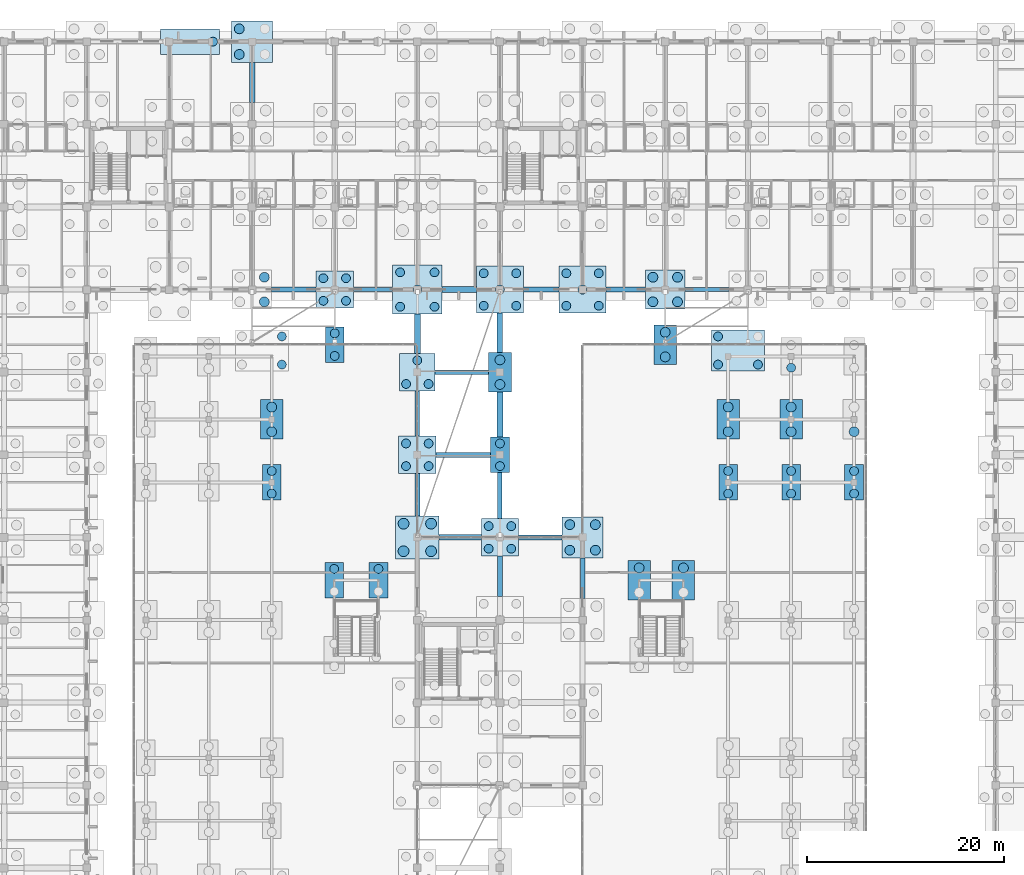
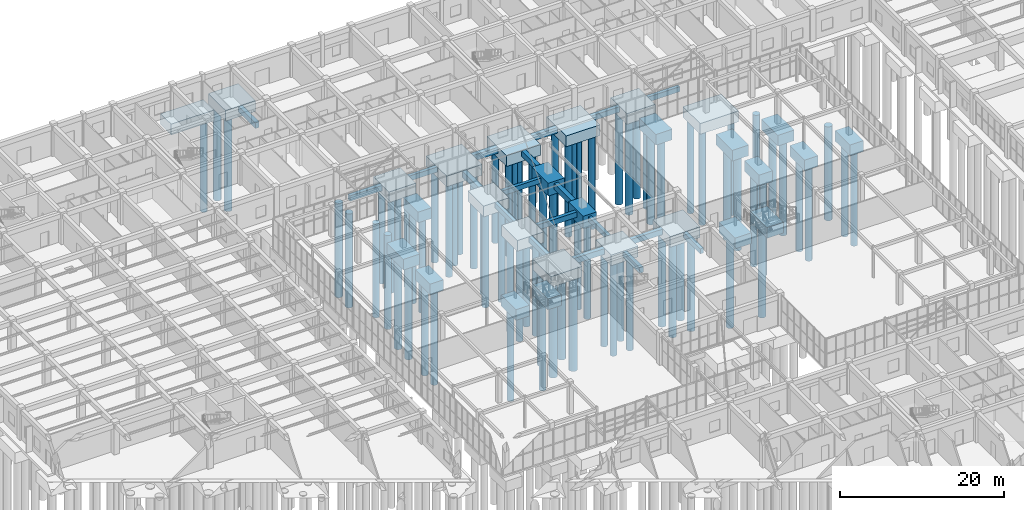
# One storey, part 10 of 192: 80 piles, 47 footings.
"""IFC4 building model written with IfcOpenShell, lengths in metres."""

from ifc_helpers import new_model, si_unit, direction, frame, origin, origin_2d, place, context, subcontext, project, spatial, rectangle, circle, extrude, material, layer, layer_set, material_profile, profile_set, type_object, element, save


model = new_model("IFC4")

# Units and contexts
model_context = context("Model", 3, precision=1e-05, world=origin(), true_north=direction((0.0, 1.0)))
body_context = subcontext(model_context, "Body", "Model", "MODEL_VIEW")
ifc_project = project(units=[si_unit("LENGTHUNIT", "METRE"), si_unit("AREAUNIT", "SQUARE_METRE"), si_unit("VOLUMEUNIT", "CUBIC_METRE"), si_unit("PLANEANGLEUNIT", "RADIAN"), si_unit("MASSUNIT", "GRAM", prefix="KILO")], contexts=[model_context])

# Site, building, storey
site_placement = place(None, origin())
site = spatial("IfcSite", under=ifc_project, at=site_placement, CompositionType="ELEMENT")
building_placement = place(site_placement, origin())
building = spatial("IfcBuilding", under=site, at=building_placement, Name="Trelvath General Hospital", CompositionType="ELEMENT")
storey_placement = place(building_placement, origin())
storey = spatial("IfcBuildingStorey", under=building, at=storey_placement, Name="L00", CompositionType="ELEMENT", Elevation=0.0)

# Piles
ifc_material_1 = material(Name="Concrete C35/45", Category="concrete")
ifc_material_profile_1 = material_profile(ifc_material_1, circle(Radius=0.5, at=origin_2d()), Name="PILE1000")
ifc_profile_set_1 = profile_set([ifc_material_profile_1], Name="Concrete C35/45")
pile_type_1 = type_object("IfcPileType", Name="BoredPile D1000", PredefinedType="BORED", material=ifc_profile_set_1)
for number, where, z_axis, x_axis, name in (
    (1, (60.050048828125, 91.14990234375, -1.800048828125), (0.0, 0.0, -1.0), (1.0, 0.0, 0.0), "Bored Pile P-0453"),
    (2, (60.050048828125, 93.64990234375, -1.800048828125), (0.0, 0.0, -1.0), (1.0, 0.0, 0.0), "Bored Pile P-0455"),
    (3, (57.5, 116.300048828125, -1.800048828125), (0.0, 0.0, -1.0), (1.0, 0.0, 0.0), "Bored Pile P-0464"),
    (4, (57.5, 118.89990234375, -1.800048828125), (0.0, 0.0, -1.0), (1.0, 0.0, 0.0), "Bored Pile P-0466"),
    (5, (60.800048828125, 77.949951171875, -1.800048828125), (0.0, 0.0, -1.0), (1.0, 0.0, 0.0), "Bored Pile P-0476"),
    (6, (60.800048828125, 80.449951171875, -1.800048828125), (0.0, 0.0, -1.0), (1.0, 0.0, 0.0), "Bored Pile P-0477"),
    (7, (84.0, 82.75, -1.800048828125), (0.0, 0.0, -1.0), (1.0, 0.0, 0.0), "Bored Pile P-0625"),
    (8, (84.0, 85.25, -1.800048828125), (0.0, 0.0, -1.0), (1.0, 0.0, 0.0), "Bored Pile P-0626"),
    (9, (91.10009765625, 65.89990234375, -1.800048828125), (0.0, 0.0, -1.0), (1.0, 0.0, 0.0), "Bored Pile P-0677"),
    (10, (93.699951171875, 65.89990234375, -1.800048828125), (0.0, 0.0, -1.0), (1.0, 0.0, 0.0), "Bored Pile P-0678"),
    (11, (91.10009765625, 68.5, -1.800048828125), (0.0, 0.0, -1.0), (1.0, 0.0, 0.0), "Bored Pile P-0679"),
    (12, (93.699951171875, 68.5, -1.800048828125), (0.0, 0.0, -1.0), (1.0, 0.0, 0.0), "Bored Pile P-0680"),
    (13, (98.14990234375, 64.10009765625, -1.800048828125), (0.0, 0.0, -1.0), (1.0, 0.0, 0.0), "Bored Pile P-0704"),
    (14, (100.800048828125, 85.550048828125, -1.800048828125), (0.0, 0.0, -1.0), (1.0, 0.0, 0.0), "Bored Pile P-0724"),
    (15, (100.800048828125, 88.050048828125, -1.800048828125), (0.0, 0.0, -1.0), (1.0, 0.0, 0.0), "Bored Pile P-0725"),
    (16, (99.550048828125, 91.14990234375, -1.800048828125), (0.0, 0.0, -1.0), (1.0, 0.0, 0.0), "Bored Pile P-0726"),
    (17, (102.050048828125, 91.14990234375, -1.800048828125), (0.0, 0.0, -1.0), (1.0, 0.0, 0.0), "Bored Pile P-0727"),
    (18, (99.550048828125, 93.64990234375, -1.800048828125), (0.0, 0.0, -1.0), (1.0, 0.0, 0.0), "Bored Pile P-0728"),
    (19, (102.050048828125, 93.64990234375, -1.800048828125), (0.0, 0.0, -1.0), (1.0, 0.0, 0.0), "Bored Pile P-0729"),
    (20, (102.64990234375, 64.10009765625, -1.800048828125), (0.0, 0.0, -1.0), (1.0, 0.0, 0.0), "Bored Pile P-0743"),
    (21, (107.199951171875, 77.949951171875, -1.800048828125), (0.0, 0.0, -1.0), (1.0, 0.0, 0.0), "Bored Pile P-0756"),
    (22, (107.199951171875, 80.449951171875, -1.800048828125), (0.0, 0.0, -1.0), (1.0, 0.0, 0.0), "Bored Pile P-0757"),
    (23, (113.60009765625, 77.949951171875, -1.800048828125), (0.0, 0.0, -1.0), (1.0, 0.0, 0.0), "Bored Pile P-0804"),
    (24, (113.60009765625, 80.449951171875, -1.800048828125), (0.0, 0.0, -1.0), (1.0, 0.0, 0.0), "Bored Pile P-0805"),
    (25, (120.0, 77.949951171875, -1.800048828125), (0.0, 0.0, -1.0), (1.0, 0.0, 0.0), "Bored Pile P-0846"),
):
    element("IfcPile", number, at=place(storey_placement, frame(where, z_axis=z_axis, x_axis=x_axis)), inside=storey, type_object=pile_type_1, Name=name, PredefinedType="BORED", context=body_context, shape_type="SweptSolid", body=[
        extrude(circle(Radius=0.5, at=origin_2d()), origin(), (0.0, 0.0, 1.0), 14.0),
    ])
ifc_material_2 = material(Name="Concrete C35/45", Category="concrete")
ifc_material_profile_2 = material_profile(ifc_material_2, circle(Radius=0.550048828125, at=origin_2d()), Name="PILE1100")
ifc_profile_set_2 = profile_set([ifc_material_profile_2], Name="Concrete C35/45")
pile_type_2 = type_object("IfcPileType", Name="BoredPile D1100", PredefinedType="BORED", material=ifc_profile_set_2)
for number, where, z_axis, x_axis, name in (
    (26, (74.199951171875, 65.800048828125, -1.800048828125), (0.0, 0.0, -1.0), (1.0, 0.0, 0.0), "Bored Pile P-0550"),
    (27, (77.0, 65.800048828125, -1.800048828125), (0.0, 0.0, -1.0), (1.0, 0.0, 0.0), "Bored Pile P-0551"),
    (28, (74.199951171875, 68.60009765625, -1.800048828125), (0.0, 0.0, -1.0), (1.0, 0.0, 0.0), "Bored Pile P-0552"),
    (29, (77.0, 68.60009765625, -1.800048828125), (0.0, 0.0, -1.0), (1.0, 0.0, 0.0), "Bored Pile P-0553"),
):
    element("IfcPile", number, at=place(storey_placement, frame(where, z_axis=z_axis, x_axis=x_axis)), inside=storey, type_object=pile_type_2, Name=name, PredefinedType="BORED", context=body_context, shape_type="SweptSolid", body=[
        extrude(circle(Radius=0.550048828125, at=origin_2d()), origin(), (0.0, 0.0, 1.0), 14.0),
    ])
ifc_material_3 = material(Name="Concrete C35/45", Category="concrete")
ifc_material_profile_3 = material_profile(ifc_material_3, circle(Radius=0.449951171875, at=origin_2d()), Name="PILE900")
ifc_profile_set_3 = profile_set([ifc_material_profile_3], Name="Concrete C35/45")
pile_type_3 = type_object("IfcPileType", Name="BoredPile D900", PredefinedType="BORED", material=ifc_profile_set_3)
for number, where, z_axis, x_axis, name in (
    (30, (54.830078125, 117.60009765625, -1.800048828125), (0.0, 0.0, -1.0), (1.0, 0.0, 0.0), "Bored Pile P-0413"),
    (31, (61.830078125, 84.77001953125, -1.800048828125), (0.0, 0.0, -1.0), (1.0, 0.0, 0.0), "Bored Pile P-0450"),
    (32, (61.830078125, 87.6298828125, -1.800048828125), (0.0, 0.0, -1.0), (1.0, 0.0, 0.0), "Bored Pile P-0451"),
    (33, (60.800048828125, 71.64990234375, -1.800048828125), (0.0, 0.0, -1.0), (1.0, 0.0, 0.0), "Bored Pile P-0474"),
    (34, (60.800048828125, 73.949951171875, -1.800048828125), (0.0, 0.0, -1.0), (1.0, 0.0, 0.0), "Bored Pile P-0475"),
    (35, (67.14990234375, 64.0, -1.800048828125), (0.0, 0.0, -1.0), (1.0, 0.0, 0.0), "Bored Pile P-0481"),
    (36, (67.199951171875, 85.64990234375, -1.800048828125), (0.0, 0.0, -1.0), (1.0, 0.0, 0.0), "Bored Pile P-0498"),
    (37, (67.199951171875, 87.949951171875, -1.800048828125), (0.0, 0.0, -1.0), (1.0, 0.0, 0.0), "Bored Pile P-0499"),
    (38, (66.050048828125, 91.25, -1.800048828125), (0.0, 0.0, -1.0), (1.0, 0.0, 0.0), "Bored Pile P-0500"),
    (39, (68.35009765625, 91.25, -1.800048828125), (0.0, 0.0, -1.0), (1.0, 0.0, 0.0), "Bored Pile P-0501"),
    (40, (66.050048828125, 93.550048828125, -1.800048828125), (0.0, 0.0, -1.0), (1.0, 0.0, 0.0), "Bored Pile P-0502"),
    (41, (68.35009765625, 93.550048828125, -1.800048828125), (0.0, 0.0, -1.0), (1.0, 0.0, 0.0), "Bored Pile P-0503"),
    (42, (71.64990234375, 64.0, -1.800048828125), (0.0, 0.0, -1.0), (1.0, 0.0, 0.0), "Bored Pile P-0519"),
    (43, (74.449951171875, 74.449951171875, -1.800048828125), (0.0, 0.0, -1.0), (1.0, 0.0, 0.0), "Bored Pile P-0554"),
    (44, (76.75, 74.449951171875, -1.800048828125), (0.0, 0.0, -1.0), (1.0, 0.0, 0.0), "Bored Pile P-0555"),
    (45, (74.449951171875, 76.75, -1.800048828125), (0.0, 0.0, -1.0), (1.0, 0.0, 0.0), "Bored Pile P-0556"),
    (46, (76.75, 76.75, -1.800048828125), (0.0, 0.0, -1.0), (1.0, 0.0, 0.0), "Bored Pile P-0557"),
    (47, (74.4599609375, 82.800048828125, -1.800048828125), (0.0, 0.0, -1.0), (1.0, 0.0, 0.0), "Bored Pile P-0558"),
    (48, (76.739990234375, 82.800048828125, -1.800048828125), (0.0, 0.0, -1.0), (1.0, 0.0, 0.0), "Bored Pile P-0559"),
    (49, (75.60009765625, 85.199951171875, -1.800048828125), (0.0, 0.0, -1.0), (1.0, 0.0, 0.0), "Bored Pile P-0560"),
    (50, (73.85009765625, 90.64990234375, -1.800048828125), (0.0, 0.0, -1.0), (1.0, 0.0, 0.0), "Bored Pile P-0561"),
    (51, (77.35009765625, 90.64990234375, -1.800048828125), (0.0, 0.0, -1.0), (1.0, 0.0, 0.0), "Bored Pile P-0562"),
    (52, (75.60009765625, 92.39990234375, -1.800048828125), (0.0, 0.0, -1.0), (1.0, 0.0, 0.0), "Bored Pile P-0563"),
    (53, (73.85009765625, 94.14990234375, -1.800048828125), (0.0, 0.0, -1.0), (1.0, 0.0, 0.0), "Bored Pile P-0564"),
    (54, (77.35009765625, 94.14990234375, -1.800048828125), (0.0, 0.0, -1.0), (1.0, 0.0, 0.0), "Bored Pile P-0565"),
    (55, (82.85009765625, 66.050048828125, -1.800048828125), (0.0, 0.0, -1.0), (1.0, 0.0, 0.0), "Bored Pile P-0619"),
    (56, (85.14990234375, 66.050048828125, -1.800048828125), (0.0, 0.0, -1.0), (1.0, 0.0, 0.0), "Bored Pile P-0620"),
    (57, (82.85009765625, 68.35009765625, -1.800048828125), (0.0, 0.0, -1.0), (1.0, 0.0, 0.0), "Bored Pile P-0621"),
    (58, (85.14990234375, 68.35009765625, -1.800048828125), (0.0, 0.0, -1.0), (1.0, 0.0, 0.0), "Bored Pile P-0622"),
    (59, (84.0, 74.449951171875, -1.800048828125), (0.0, 0.0, -1.0), (1.0, 0.0, 0.0), "Bored Pile P-0623"),
    (60, (84.0, 76.75, -1.800048828125), (0.0, 0.0, -1.0), (1.0, 0.0, 0.0), "Bored Pile P-0624"),
    (61, (82.35009765625, 90.75, -1.800048828125), (0.0, 0.0, -1.0), (1.0, 0.0, 0.0), "Bored Pile P-0627"),
    (62, (85.64990234375, 90.75, -1.800048828125), (0.0, 0.0, -1.0), (1.0, 0.0, 0.0), "Bored Pile P-0628"),
    (63, (84.0, 92.39990234375, -1.800048828125), (0.0, 0.0, -1.0), (1.0, 0.0, 0.0), "Bored Pile P-0629"),
    (64, (82.35009765625, 94.050048828125, -1.800048828125), (0.0, 0.0, -1.0), (1.0, 0.0, 0.0), "Bored Pile P-0630"),
    (65, (85.64990234375, 94.050048828125, -1.800048828125), (0.0, 0.0, -1.0), (1.0, 0.0, 0.0), "Bored Pile P-0631"),
    (66, (90.75, 90.75, -1.800048828125), (0.0, 0.0, -1.0), (1.0, 0.0, 0.0), "Bored Pile P-0681"),
    (67, (94.050048828125, 90.75, -1.800048828125), (0.0, 0.0, -1.0), (1.0, 0.0, 0.0), "Bored Pile P-0682"),
    (68, (92.39990234375, 92.39990234375, -1.800048828125), (0.0, 0.0, -1.0), (1.0, 0.0, 0.0), "Bored Pile P-0683"),
    (69, (90.75, 94.050048828125, -1.800048828125), (0.0, 0.0, -1.0), (1.0, 0.0, 0.0), "Bored Pile P-0684"),
    (70, (94.050048828125, 94.050048828125, -1.800048828125), (0.0, 0.0, -1.0), (1.0, 0.0, 0.0), "Bored Pile P-0685"),
    (71, (107.199951171875, 71.64990234375, -1.800048828125), (0.0, 0.0, -1.0), (1.0, 0.0, 0.0), "Bored Pile P-0754"),
    (72, (107.199951171875, 73.949951171875, -1.800048828125), (0.0, 0.0, -1.0), (1.0, 0.0, 0.0), "Bored Pile P-0755"),
    (73, (106.169921875, 84.77001953125, -1.800048828125), (0.0, 0.0, -1.0), (1.0, 0.0, 0.0), "Bored Pile P-0758"),
    (74, (106.169921875, 87.6298828125, -1.800048828125), (0.0, 0.0, -1.0), (1.0, 0.0, 0.0), "Bored Pile P-0759"),
    (75, (110.22998046875, 84.77001953125, -1.800048828125), (0.0, 0.0, -1.0), (1.0, 0.0, 0.0), "Bored Pile P-0760"),
    (76, (113.60009765625, 71.64990234375, -1.800048828125), (0.0, 0.0, -1.0), (1.0, 0.0, 0.0), "Bored Pile P-0802"),
    (77, (113.60009765625, 73.949951171875, -1.800048828125), (0.0, 0.0, -1.0), (1.0, 0.0, 0.0), "Bored Pile P-0803"),
    (78, (113.60009765625, 84.449951171875, -1.800048828125), (0.0, 0.0, -1.0), (1.0, 0.0, 0.0), "Bored Pile P-0806"),
    (79, (120.0, 71.64990234375, -1.800048828125), (0.0, 0.0, -1.0), (1.0, 0.0, 0.0), "Bored Pile P-0844"),
    (80, (120.0, 73.949951171875, -1.800048828125), (0.0, 0.0, -1.0), (1.0, 0.0, 0.0), "Bored Pile P-0845"),
):
    element("IfcPile", number, at=place(storey_placement, frame(where, z_axis=z_axis, x_axis=x_axis)), inside=storey, type_object=pile_type_3, Name=name, PredefinedType="BORED", context=body_context, shape_type="SweptSolid", body=[
        extrude(circle(Radius=0.449951171875, at=origin_2d()), origin(), (0.0, 0.0, 1.0), 14.0),
    ])

# Footings
ifc_material_4 = material(Name="Concrete C35/45", Category="concrete")
ifc_layer_1 = layer(ifc_material_4, 1.60009765625)
ifc_layer_set_1 = layer_set([ifc_layer_1], Name="Concrete C35/45")
footing_type_1 = type_object("IfcFootingType", Name="PileCap 2P 190x360", PredefinedType="PILE_CAP", material=ifc_layer_set_1)
for number, where, z_axis, x_axis, name in (
    (81, (60.800048828125, 72.800048828125, -1.900146484375), (0.0, 0.0, 1.0), (1.0, 0.0, 0.0), "Pile Cap PC-126"),
    (82, (67.14990234375, 62.85009765625, -1.900146484375), (0.0, 0.0, 1.0), (1.0, 0.0, 0.0), "Pile Cap PC-129"),
    (83, (67.199951171875, 86.800048828125, -1.900146484375), (0.0, 0.0, 1.0), (1.0, 0.0, 0.0), "Pile Cap PC-135"),
    (84, (71.64990234375, 62.85009765625, -1.900146484375), (0.0, 0.0, 1.0), (1.0, 0.0, 0.0), "Pile Cap PC-141"),
    (85, (107.199951171875, 72.800048828125, -1.900146484375), (0.0, 0.0, 1.0), (1.0, 0.0, 0.0), "Pile Cap PC-201"),
    (86, (113.60009765625, 72.800048828125, -1.900146484375), (0.0, 0.0, 1.0), (1.0, 0.0, 0.0), "Pile Cap PC-216"),
    (87, (120.0, 72.800048828125, -1.900146484375), (0.0, 0.0, 1.0), (1.0, 0.0, 0.0), "Pile Cap PC-231"),
):
    element("IfcFooting", number, at=place(storey_placement, frame(where, z_axis=z_axis, x_axis=x_axis)), inside=storey, type_object=footing_type_1, Name=name, PredefinedType="PILE_CAP", context=body_context, shape_type="SweptSolid", body=[
        extrude(rectangle(XDim=1.89990234375, YDim=3.60009765625, at=origin_2d()), origin(), (0.0, 0.0, 1.0), 1.60009765625),
    ])
ifc_material_5 = material(Name="Concrete C35/45", Category="concrete")
ifc_layer_2 = layer(ifc_material_5, 1.89990234375)
ifc_layer_set_2 = layer_set([ifc_layer_2], Name="Concrete C35/45")
footing_type_2 = type_object("IfcFootingType", Name="PileCap 2P 190x360 G0", PredefinedType="PILE_CAP", material=ifc_layer_set_2)
footing_1_placement = place(storey_placement, frame((84.0, 75.60009765625, -1.89990234375), z_axis=(0.0, 0.0, 1.0), x_axis=(1.0, 0.0, 0.0)))
element("IfcFooting", 88, at=footing_1_placement, inside=storey, type_object=footing_type_2, Name="Pile Cap PC-165", PredefinedType="PILE_CAP", context=body_context, shape_type="SweptSolid", body=[
    extrude(rectangle(XDim=1.89990234375, YDim=3.60009765625, at=origin_2d()), origin(), (0.0, 0.0, 1.0), 1.89990234375),
])
ifc_material_6 = material(Name="Concrete C35/45", Category="concrete")
ifc_layer_3 = layer(ifc_material_6, 1.60009765625)
ifc_layer_set_3 = layer_set([ifc_layer_3], Name="Concrete C35/45")
footing_type_3 = type_object("IfcFootingType", Name="PileCap 2P 230x400", PredefinedType="PILE_CAP", material=ifc_layer_set_3)
for number, where, z_axis, x_axis, name in (
    (89, (60.800048828125, 79.199951171875, -1.900146484375), (0.0, 0.0, 1.0), (1.0, 0.0, 0.0), "Pile Cap PC-127"),
    (90, (98.14990234375, 62.85009765625, -1.900146484375), (0.0, 0.0, 1.0), (1.0, 0.0, 0.0), "Pile Cap PC-184"),
    (91, (100.800048828125, 86.800048828125, -1.900146484375), (0.0, 0.0, 1.0), (1.0, 0.0, 0.0), "Pile Cap PC-190"),
    (92, (102.64990234375, 62.85009765625, -1.900146484375), (0.0, 0.0, 1.0), (1.0, 0.0, 0.0), "Pile Cap PC-196"),
    (93, (107.199951171875, 79.199951171875, -1.900146484375), (0.0, 0.0, 1.0), (1.0, 0.0, 0.0), "Pile Cap PC-202"),
    (94, (113.60009765625, 79.199951171875, -1.900146484375), (0.0, 0.0, 1.0), (1.0, 0.0, 0.0), "Pile Cap PC-217"),
):
    element("IfcFooting", number, at=place(storey_placement, frame(where, z_axis=z_axis, x_axis=x_axis)), inside=storey, type_object=footing_type_3, Name=name, PredefinedType="PILE_CAP", context=body_context, shape_type="SweptSolid", body=[
        extrude(rectangle(XDim=2.300048828125, YDim=4.0, at=origin_2d()), origin(), (0.0, 0.0, 1.0), 1.60009765625),
    ])
ifc_material_7 = material(Name="Concrete C35/45", Category="concrete")
ifc_layer_4 = layer(ifc_material_7, 1.89990234375)
ifc_layer_set_4 = layer_set([ifc_layer_4], Name="Concrete C35/45")
footing_type_4 = type_object("IfcFootingType", Name="PileCap 2P 230x400 G0", PredefinedType="PILE_CAP", material=ifc_layer_set_4)
footing_2_placement = place(storey_placement, frame((84.0, 84.0, -1.89990234375), z_axis=(0.0, 0.0, 1.0), x_axis=(1.0, 0.0, 0.0)))
element("IfcFooting", 95, at=footing_2_placement, inside=storey, type_object=footing_type_4, Name="Pile Cap PC-166", PredefinedType="PILE_CAP", context=body_context, shape_type="SweptSolid", body=[
    extrude(rectangle(XDim=2.300048828125, YDim=4.0, at=origin_2d()), origin(), (0.0, 0.0, 1.0), 1.89990234375),
])
ifc_material_8 = material(Name="Concrete C35/45", Category="concrete")
ifc_layer_5 = layer(ifc_material_8, 1.60009765625)
ifc_layer_set_5 = layer_set([ifc_layer_5], Name="Concrete C35/45")
footing_type_5 = type_object("IfcFootingType", Name="PileCap 3P 360x380", PredefinedType="PILE_CAP", material=ifc_layer_set_5)
footing_3_placement = place(storey_placement, frame((75.60009765625, 84.0, -1.900146484375), z_axis=(0.0, 0.0, 1.0), x_axis=(1.0, 0.0, 0.0)))
element("IfcFooting", 96, at=footing_3_placement, inside=storey, type_object=footing_type_5, Name="Pile Cap PC-151", PredefinedType="PILE_CAP", context=body_context, shape_type="SweptSolid", body=[
    extrude(rectangle(XDim=3.60009765625, YDim=3.800048828125, at=origin_2d()), origin(), (0.0, 0.0, 1.0), 1.60009765625),
])
ifc_material_9 = material(Name="Concrete C35/45", Category="concrete")
ifc_layer_6 = layer(ifc_material_9, 1.60009765625)
ifc_layer_set_6 = layer_set([ifc_layer_6], Name="Concrete C35/45")
footing_type_6 = type_object("IfcFootingType", Name="PileCap 4P 380x380", PredefinedType="PILE_CAP", material=ifc_layer_set_6)
for number, where, z_axis, x_axis, name in (
    (97, (67.199951171875, 92.39990234375, -1.900146484375), (0.0, 0.0, 1.0), (1.0, 0.0, 0.0), "Pile Cap PC-136"),
    (98, (75.60009765625, 75.60009765625, -1.900146484375), (0.0, 0.0, 1.0), (1.0, 0.0, 0.0), "Pile Cap PC-150"),
    (99, (84.0, 67.199951171875, -1.900146484375), (0.0, 0.0, 1.0), (1.0, 0.0, 0.0), "Pile Cap PC-164"),
):
    element("IfcFooting", number, at=place(storey_placement, frame(where, z_axis=z_axis, x_axis=x_axis)), inside=storey, type_object=footing_type_6, Name=name, PredefinedType="PILE_CAP", context=body_context, shape_type="SweptSolid", body=[
        extrude(rectangle(XDim=3.800048828125, YDim=3.800048828125, at=origin_2d()), origin(), (0.0, 0.0, 1.0), 1.60009765625),
    ])
ifc_material_10 = material(Name="Concrete C35/45", Category="concrete")
ifc_layer_7 = layer(ifc_material_10, 1.60009765625)
ifc_layer_set_7 = layer_set([ifc_layer_7], Name="Concrete C35/45")
footing_type_7 = type_object("IfcFootingType", Name="PileCap 4P 400x400", PredefinedType="PILE_CAP", material=ifc_layer_set_7)
footing_4_placement = place(storey_placement, frame((100.800048828125, 92.39990234375, -1.900146484375), z_axis=(0.0, 0.0, 1.0), x_axis=(1.0, 0.0, 0.0)))
element("IfcFooting", 100, at=footing_4_placement, inside=storey, type_object=footing_type_7, Name="Pile Cap PC-191", PredefinedType="PILE_CAP", context=body_context, shape_type="SweptSolid", body=[
    extrude(rectangle(XDim=4.0, YDim=4.0, at=origin_2d()), origin(), (0.0, 0.0, 1.0), 1.60009765625),
])
ifc_material_11 = material(Name="Concrete C35/45", Category="concrete")
ifc_layer_8 = layer(ifc_material_11, 1.60009765625)
ifc_layer_set_8 = layer_set([ifc_layer_8], Name="Concrete C35/45")
footing_type_8 = type_object("IfcFootingType", Name="PileCap 4P 420x420", PredefinedType="PILE_CAP", material=ifc_layer_set_8)
for number, where, z_axis, x_axis, name in (
    (101, (58.800048828125, 117.60009765625, -1.900146484375), (0.0, 0.0, 1.0), (1.0, 0.0, 0.0), "Pile Cap PC-122"),
    (102, (92.39990234375, 67.199951171875, -1.900146484375), (0.0, 0.0, 1.0), (1.0, 0.0, 0.0), "Pile Cap PC-178"),
):
    element("IfcFooting", number, at=place(storey_placement, frame(where, z_axis=z_axis, x_axis=x_axis)), inside=storey, type_object=footing_type_8, Name=name, PredefinedType="PILE_CAP", context=body_context, shape_type="SweptSolid", body=[
        extrude(rectangle(XDim=4.199951171875, YDim=4.199951171875, at=origin_2d()), origin(), (0.0, 0.0, 1.0), 1.60009765625),
    ])
ifc_material_12 = material(Name="Concrete C35/45", Category="concrete")
ifc_layer_9 = layer(ifc_material_12, 1.60009765625)
ifc_layer_set_9 = layer_set([ifc_layer_9], Name="Concrete C35/45")
footing_type_9 = type_object("IfcFootingType", Name="PileCap 4P 440x440", PredefinedType="PILE_CAP", material=ifc_layer_set_9)
footing_5_placement = place(storey_placement, frame((75.60009765625, 67.199951171875, -1.900146484375), z_axis=(0.0, 0.0, 1.0), x_axis=(1.0, 0.0, 0.0)))
element("IfcFooting", 103, at=footing_5_placement, inside=storey, type_object=footing_type_9, Name="Pile Cap PC-149", PredefinedType="PILE_CAP", context=body_context, shape_type="SweptSolid", body=[
    extrude(rectangle(XDim=4.39990234375, YDim=4.39990234375, at=origin_2d()), origin(), (0.0, 0.0, 1.0), 1.60009765625),
])
ifc_material_13 = material(Name="Concrete C35/45", Category="concrete")
ifc_layer_10 = layer(ifc_material_13, 1.60009765625)
ifc_layer_set_10 = layer_set([ifc_layer_10], Name="Concrete C35/45")
footing_type_10 = type_object("IfcFootingType", Name="PileCap 5P 480x480", PredefinedType="PILE_CAP", material=ifc_layer_set_10)
for number, where, z_axis, x_axis, name in (
    (104, (84.0, 92.39990234375, -1.900146484375), (0.0, 0.0, 1.0), (1.0, 0.0, 0.0), "Pile Cap PC-167"),
    (105, (92.39990234375, 92.39990234375, -1.900146484375), (0.0, 0.0, 1.0), (1.0, 0.0, 0.0), "Pile Cap PC-179"),
):
    element("IfcFooting", number, at=place(storey_placement, frame(where, z_axis=z_axis, x_axis=x_axis)), inside=storey, type_object=footing_type_10, Name=name, PredefinedType="PILE_CAP", context=body_context, shape_type="SweptSolid", body=[
        extrude(rectangle(XDim=4.800048828125, YDim=4.800048828125, at=origin_2d()), origin(), (0.0, 0.0, 1.0), 1.60009765625),
    ])
ifc_material_14 = material(Name="Concrete C35/45", Category="concrete")
ifc_layer_11 = layer(ifc_material_14, 1.60009765625)
ifc_layer_set_11 = layer_set([ifc_layer_11], Name="Concrete C35/45")
footing_type_11 = type_object("IfcFootingType", Name="PileCap 5P 500x500", PredefinedType="PILE_CAP", material=ifc_layer_set_11)
footing_6_placement = place(storey_placement, frame((75.60009765625, 92.39990234375, -1.900146484375), z_axis=(0.0, 0.0, 1.0), x_axis=(1.0, 0.0, 0.0)))
element("IfcFooting", 106, at=footing_6_placement, inside=storey, type_object=footing_type_11, Name="Pile Cap PC-152", PredefinedType="PILE_CAP", context=body_context, shape_type="SweptSolid", body=[
    extrude(rectangle(XDim=5.0, YDim=5.0, at=origin_2d()), origin(), (0.0, 0.0, 1.0), 1.60009765625),
])
ifc_material_15 = material(Name="Concrete C35/45", Category="concrete")
ifc_layer_12 = layer(ifc_material_15, 1.60009765625)
ifc_layer_set_12 = layer_set([ifc_layer_12], Name="Concrete C35/45")
footing_type_12 = type_object("IfcFootingType", Name="PileCap Comb 600x260", PredefinedType="PILE_CAP", material=ifc_layer_set_12)
footing_7_placement = place(storey_placement, frame((52.5, 117.60009765625, -1.900146484375), z_axis=(0.0, 0.0, 1.0), x_axis=(1.0, 0.0, 0.0)))
element("IfcFooting", 107, at=footing_7_placement, inside=storey, type_object=footing_type_12, Name="Pile Cap PC-105", PredefinedType="PILE_CAP", context=body_context, shape_type="SweptSolid", body=[
    extrude(rectangle(XDim=6.0, YDim=2.60009765625, at=origin_2d()), origin(), (0.0, 0.0, 1.0), 1.60009765625),
])
ifc_material_16 = material(Name="Concrete C35/45", Category="concrete")
ifc_layer_13 = layer(ifc_material_16, 1.60009765625)
ifc_layer_set_13 = layer_set([ifc_layer_13], Name="Concrete C35/45")
footing_type_13 = type_object("IfcFootingType", Name="PileCap Combined 540x420", PredefinedType="PILE_CAP", material=ifc_layer_set_13)
footing_8_placement = place(storey_placement, frame((108.199951171875, 86.199951171875, -1.900146484375), z_axis=(0.0, 0.0, 1.0), x_axis=(1.0, 0.0, 0.0)))
element("IfcFooting", 108, at=footing_8_placement, inside=storey, type_object=footing_type_13, Name="Pile Cap PC-203", PredefinedType="PILE_CAP", context=body_context, shape_type="SweptSolid", body=[
    extrude(rectangle(XDim=5.39990234375, YDim=4.199951171875, at=origin_2d()), origin(), (0.0, 0.0, 1.0), 1.60009765625),
])
ifc_material_17 = material(Name="Concrete C35/45", Category="concrete")
ifc_layer_14 = layer(ifc_material_17, 0.75)
ifc_layer_set_14 = layer_set([ifc_layer_14], Name="Concrete C35/45")
footing_type_14 = type_object("IfcFootingType", Name="TieBeam 450x750", PredefinedType="FOOTING_BEAM", material=ifc_layer_set_14)
footing_9_placement = place(storey_placement, frame((71.10009765625, 92.39990234375, -1.050048828125), z_axis=(0.0, 0.0, 1.0), x_axis=(1.0, 0.0, 0.0)))
element("IfcFooting", 109, at=footing_9_placement, inside=storey, type_object=footing_type_14, Name="Foundation Tie Beam TB-166", PredefinedType="FOOTING_BEAM", context=body_context, shape_type="SweptSolid", body=[
    extrude(rectangle(XDim=4.0, YDim=0.449951171875, at=origin_2d()), origin(), (0.0, 0.0, 1.0), 0.75),
])
footing_10_placement = place(storey_placement, frame((75.60009765625, 79.800048828125, -1.050048828125), z_axis=(0.0, 0.0, 1.0), x_axis=(1.0, 0.0, 0.0)))
element("IfcFooting", 110, at=footing_10_placement, inside=storey, type_object=footing_type_14, Name="Foundation Tie Beam TB-186", PredefinedType="FOOTING_BEAM", context=body_context, shape_type="SweptSolid", body=[
    extrude(rectangle(XDim=0.449951171875, YDim=4.60009765625, at=origin_2d()), origin(), (0.0, 0.0, 1.0), 0.75),
])
footing_11_placement = place(storey_placement, frame((80.125, 84.0, -1.050048828125), z_axis=(0.0, 0.0, 1.0), x_axis=(1.0, 0.0, 0.0)))
element("IfcFooting", 111, at=footing_11_placement, inside=storey, type_object=footing_type_14, Name="Foundation Tie Beam TB-187", PredefinedType="FOOTING_BEAM", context=body_context, shape_type="SweptSolid", body=[
    extrude(rectangle(XDim=5.449951171875, YDim=0.449951171875, at=origin_2d()), origin(), (0.0, 0.0, 1.0), 0.75),
])
footing_12_placement = place(storey_placement, frame((84.0, 71.449951171875, -1.050048828125), z_axis=(0.0, 0.0, 1.0), x_axis=(1.0, 0.0, 0.0)))
element("IfcFooting", 112, at=footing_12_placement, inside=storey, type_object=footing_type_14, Name="Foundation Tie Beam TB-209", PredefinedType="FOOTING_BEAM", context=body_context, shape_type="SweptSolid", body=[
    extrude(rectangle(XDim=0.449951171875, YDim=4.699951171875, at=origin_2d()), origin(), (0.0, 0.0, 1.0), 0.75),
])
footing_13_placement = place(storey_placement, frame((92.39990234375, 63.050048828125, -1.050048828125), z_axis=(0.0, 0.0, 1.0), x_axis=(1.0, 0.0, 0.0)))
element("IfcFooting", 113, at=footing_13_placement, inside=storey, type_object=footing_type_14, Name="Foundation Tie Beam TB-225", PredefinedType="FOOTING_BEAM", context=body_context, shape_type="SweptSolid", body=[
    extrude(rectangle(XDim=0.449951171875, YDim=4.10009765625, at=origin_2d()), origin(), (0.0, 0.0, 1.0), 0.75),
])
footing_14_placement = place(storey_placement, frame((105.050048828125, 92.39990234375, -1.050048828125), z_axis=(0.0, 0.0, 1.0), x_axis=(1.0, 0.0, 0.0)))
element("IfcFooting", 114, at=footing_14_placement, inside=storey, type_object=footing_type_14, Name="Foundation Tie Beam TB-237", PredefinedType="FOOTING_BEAM", context=body_context, shape_type="SweptSolid", body=[
    extrude(rectangle(XDim=4.5, YDim=0.449951171875, at=origin_2d()), origin(), (0.0, 0.0, 1.0), 0.75),
])
ifc_material_18 = material(Name="Concrete C35/45", Category="concrete")
ifc_layer_15 = layer(ifc_material_18, 0.800048828125)
ifc_layer_set_15 = layer_set([ifc_layer_15], Name="Concrete C35/45")
footing_type_15 = type_object("IfcFootingType", Name="TieBeam 500x800", PredefinedType="FOOTING_BEAM", material=ifc_layer_set_15)
footing_15_placement = place(storey_placement, frame((63.050048828125, 92.39990234375, -1.10009765625), z_axis=(0.0, 0.0, 1.0), x_axis=(1.0, 0.0, 0.0)))
element("IfcFooting", 115, at=footing_15_placement, inside=storey, type_object=footing_type_15, Name="Foundation Tie Beam TB-155", PredefinedType="FOOTING_BEAM", context=body_context, shape_type="SweptSolid", body=[
    extrude(rectangle(XDim=4.5, YDim=0.5, at=origin_2d()), origin(), (0.0, 0.0, 1.0), 0.800048828125),
])
footing_16_placement = place(storey_placement, frame((75.60009765625, 71.550048828125, -1.10009765625), z_axis=(0.0, 0.0, 1.0), x_axis=(1.0, 0.0, 0.0)))
element("IfcFooting", 116, at=footing_16_placement, inside=storey, type_object=footing_type_15, Name="Foundation Tie Beam TB-184", PredefinedType="FOOTING_BEAM", context=body_context, shape_type="SweptSolid", body=[
    extrude(rectangle(XDim=0.5, YDim=4.300048828125, at=origin_2d()), origin(), (0.0, 0.0, 1.0), 0.800048828125),
])
footing_17_placement = place(storey_placement, frame((80.27490234375, 75.60009765625, -1.10009765625), z_axis=(0.0, 0.0, 1.0), x_axis=(1.0, 0.0, 0.0)))
element("IfcFooting", 117, at=footing_17_placement, inside=storey, type_object=footing_type_15, Name="Foundation Tie Beam TB-185", PredefinedType="FOOTING_BEAM", context=body_context, shape_type="SweptSolid", body=[
    extrude(rectangle(XDim=5.550048828125, YDim=0.5, at=origin_2d()), origin(), (0.0, 0.0, 1.0), 0.800048828125),
])
footing_18_placement = place(storey_placement, frame((84.0, 63.25, -1.10009765625), z_axis=(0.0, 0.0, 1.0), x_axis=(1.0, 0.0, 0.0)))
element("IfcFooting", 118, at=footing_18_placement, inside=storey, type_object=footing_type_15, Name="Foundation Tie Beam TB-207", PredefinedType="FOOTING_BEAM", context=body_context, shape_type="SweptSolid", body=[
    extrude(rectangle(XDim=0.5, YDim=4.10009765625, at=origin_2d()), origin(), (0.0, 0.0, 1.0), 0.800048828125),
])
footing_19_placement = place(storey_placement, frame((88.10009765625, 67.199951171875, -1.10009765625), z_axis=(0.0, 0.0, 1.0), x_axis=(1.0, 0.0, 0.0)))
element("IfcFooting", 119, at=footing_19_placement, inside=storey, type_object=footing_type_15, Name="Foundation Tie Beam TB-208", PredefinedType="FOOTING_BEAM", context=body_context, shape_type="SweptSolid", body=[
    extrude(rectangle(XDim=4.39990234375, YDim=0.5, at=origin_2d()), origin(), (0.0, 0.0, 1.0), 0.800048828125),
])
footing_20_placement = place(storey_placement, frame((96.800048828125, 92.39990234375, -1.10009765625), z_axis=(0.0, 0.0, 1.0), x_axis=(1.0, 0.0, 0.0)))
element("IfcFooting", 120, at=footing_20_placement, inside=storey, type_object=footing_type_15, Name="Foundation Tie Beam TB-226", PredefinedType="FOOTING_BEAM", context=body_context, shape_type="SweptSolid", body=[
    extrude(rectangle(XDim=4.0, YDim=0.5, at=origin_2d()), origin(), (0.0, 0.0, 1.0), 0.800048828125),
])
ifc_material_19 = material(Name="Concrete C35/45", Category="concrete")
ifc_layer_16 = layer(ifc_material_19, 0.85009765625)
ifc_layer_set_16 = layer_set([ifc_layer_16], Name="Concrete C35/45")
footing_type_16 = type_object("IfcFootingType", Name="TieBeam 550x850", PredefinedType="FOOTING_BEAM", material=ifc_layer_set_16)
footing_21_placement = place(storey_placement, frame((58.800048828125, 113.449951171875, -1.150146484375), z_axis=(0.0, 0.0, 1.0), x_axis=(1.0, 0.0, 0.0)))
element("IfcFooting", 121, at=footing_21_placement, inside=storey, type_object=footing_type_16, Name="Foundation Tie Beam TB-160", PredefinedType="FOOTING_BEAM", context=body_context, shape_type="SweptSolid", body=[
    extrude(rectangle(XDim=0.550048828125, YDim=4.10009765625, at=origin_2d()), origin(), (0.0, 0.0, 1.0), 0.85009765625),
])
footing_22_placement = place(storey_placement, frame((79.949951171875, 67.199951171875, -1.150146484375), z_axis=(0.0, 0.0, 1.0), x_axis=(1.0, 0.0, 0.0)))
element("IfcFooting", 122, at=footing_22_placement, inside=storey, type_object=footing_type_16, Name="Foundation Tie Beam TB-183", PredefinedType="FOOTING_BEAM", context=body_context, shape_type="SweptSolid", body=[
    extrude(rectangle(XDim=4.300048828125, YDim=0.550048828125, at=origin_2d()), origin(), (0.0, 0.0, 1.0), 0.85009765625),
])
footing_23_placement = place(storey_placement, frame((84.0, 88.0, -1.150146484375), z_axis=(0.0, 0.0, 1.0), x_axis=(1.0, 0.0, 0.0)))
element("IfcFooting", 123, at=footing_23_placement, inside=storey, type_object=footing_type_16, Name="Foundation Tie Beam TB-211", PredefinedType="FOOTING_BEAM", context=body_context, shape_type="SweptSolid", body=[
    extrude(rectangle(XDim=0.550048828125, YDim=4.0, at=origin_2d()), origin(), (0.0, 0.0, 1.0), 0.85009765625),
])
footing_24_placement = place(storey_placement, frame((88.199951171875, 92.39990234375, -1.150146484375), z_axis=(0.0, 0.0, 1.0), x_axis=(1.0, 0.0, 0.0)))
element("IfcFooting", 124, at=footing_24_placement, inside=storey, type_object=footing_type_16, Name="Foundation Tie Beam TB-212", PredefinedType="FOOTING_BEAM", context=body_context, shape_type="SweptSolid", body=[
    extrude(rectangle(XDim=3.60009765625, YDim=0.550048828125, at=origin_2d()), origin(), (0.0, 0.0, 1.0), 0.85009765625),
])
ifc_material_20 = material(Name="Concrete C35/45", Category="concrete")
ifc_layer_17 = layer(ifc_material_20, 0.89990234375)
ifc_layer_set_17 = layer_set([ifc_layer_17], Name="Concrete C35/45")
footing_type_17 = type_object("IfcFootingType", Name="TieBeam 600x900", PredefinedType="FOOTING_BEAM", material=ifc_layer_set_17)
footing_25_placement = place(storey_placement, frame((75.60009765625, 87.89990234375, -1.199951171875), z_axis=(0.0, 0.0, 1.0), x_axis=(1.0, 0.0, 0.0)))
element("IfcFooting", 125, at=footing_25_placement, inside=storey, type_object=footing_type_17, Name="Foundation Tie Beam TB-188", PredefinedType="FOOTING_BEAM", context=body_context, shape_type="SweptSolid", body=[
    extrude(rectangle(XDim=0.60009765625, YDim=4.0, at=origin_2d()), origin(), (0.0, 0.0, 1.0), 0.89990234375),
])
footing_26_placement = place(storey_placement, frame((79.85009765625, 92.39990234375, -1.199951171875), z_axis=(0.0, 0.0, 1.0), x_axis=(1.0, 0.0, 0.0)))
element("IfcFooting", 126, at=footing_26_placement, inside=storey, type_object=footing_type_17, Name="Foundation Tie Beam TB-189", PredefinedType="FOOTING_BEAM", context=body_context, shape_type="SweptSolid", body=[
    extrude(rectangle(XDim=3.5, YDim=0.60009765625, at=origin_2d()), origin(), (0.0, 0.0, 1.0), 0.89990234375),
])
footing_27_placement = place(storey_placement, frame((84.0, 79.699951171875, -1.199951171875), z_axis=(0.0, 0.0, 1.0), x_axis=(1.0, 0.0, 0.0)))
element("IfcFooting", 127, at=footing_27_placement, inside=storey, type_object=footing_type_17, Name="Foundation Tie Beam TB-210", PredefinedType="FOOTING_BEAM", context=body_context, shape_type="SweptSolid", body=[
    extrude(rectangle(XDim=0.60009765625, YDim=4.60009765625, at=origin_2d()), origin(), (0.0, 0.0, 1.0), 0.89990234375),
])

save(model, "model.ifc")
